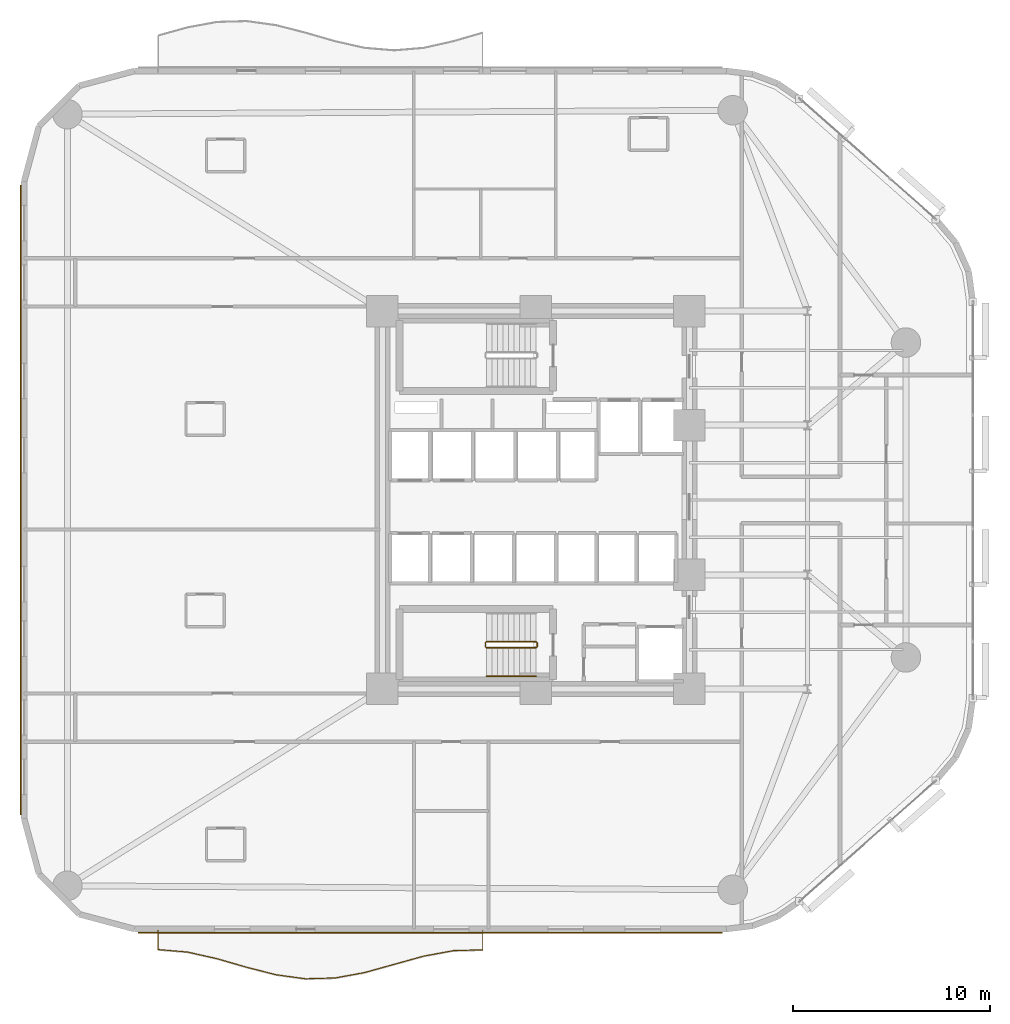
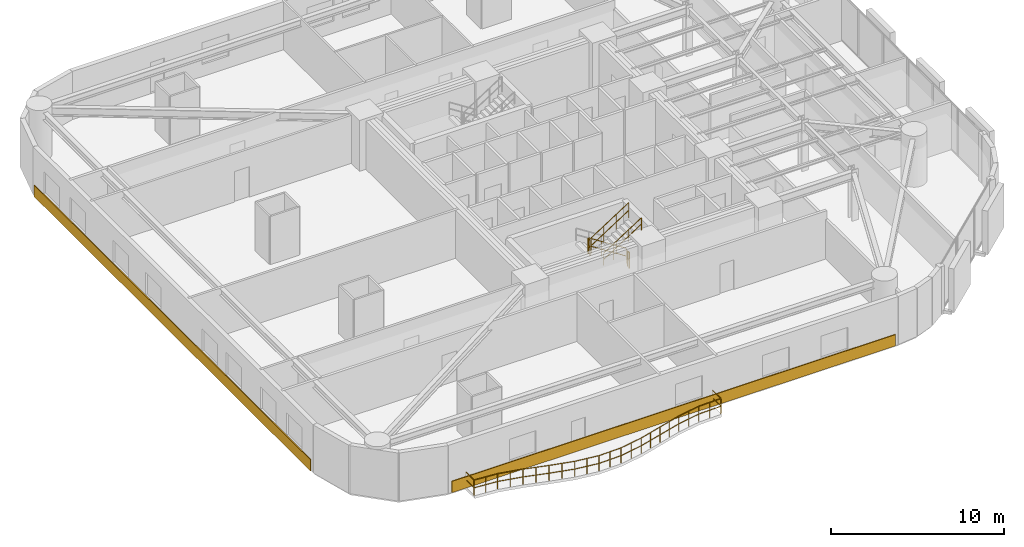
# One storey, part 14 of 16: 6 railings, 2 coverings.
"""IFC4 building model written with IfcOpenShell, lengths in metres."""

from ifc_helpers import new_model, si_unit, direction, frame, origin, origin_2d, place, context, subcontext, project, spatial, rectangle, circle, extrude, material, layer, layer_set, type_object, element, save


model = new_model("IFC4")

# Units and contexts
model_context = context("Model", 3, precision=1e-05, world=origin(), true_north=direction((0.0, 1.0)))
body_context = subcontext(model_context, "Body", "Model", "MODEL_VIEW")
ifc_project = project(units=[si_unit("LENGTHUNIT", "METRE"), si_unit("AREAUNIT", "SQUARE_METRE"), si_unit("VOLUMEUNIT", "CUBIC_METRE"), si_unit("PLANEANGLEUNIT", "RADIAN"), si_unit("MASSUNIT", "GRAM", prefix="KILO")], contexts=[model_context])

# Site, building, storey
site_placement = place(None, origin())
site = spatial("IfcSite", under=ifc_project, at=site_placement, CompositionType="ELEMENT")
building_placement = place(site_placement, origin())
building = spatial("IfcBuilding", under=site, at=building_placement, Name="An Khanh Terracotta Commons", CompositionType="ELEMENT")
storey_placement = place(building_placement, frame((0.0, 0.0, 54.0)))
storey = spatial("IfcBuildingStorey", under=building, at=storey_placement, Name="L14", CompositionType="ELEMENT", Elevation=54.0)

# Coverings
ifc_material_1 = material(Name="Fired Terracotta Rainscreen Cladding", Category="masonry")
ifc_layer = layer(ifc_material_1, 0.06005859375, Name="Fired Terracotta Rainscreen Cladding")
ifc_layer_set = layer_set([ifc_layer], Name="Fired Terracotta Rainscreen Cladding")
covering_type = type_object("IfcCoveringType", Name="COV-SPANDREL-TERRA", PredefinedType="CLADDING", material=ifc_layer_set)
covering_1_placement = place(storey_placement, frame((24.0400390625, 2.02001953125, 0.02001953125), z_axis=(0.0, 0.0, 1.0), x_axis=(1.0, 0.0, 0.0)))
element("IfcCovering", 1, at=covering_1_placement, inside=storey, type_object=covering_type, Name="L14 Terracotta Spandrel Cladding 4", PredefinedType="CLADDING", context=body_context, shape_type="SweptSolid", body=[
    extrude(rectangle(XDim=29.678955078125, YDim=0.06005859375, at=origin_2d()), origin(), (0.0, 0.0, 1.0), 0.800048828125),
])
covering_2_placement = place(storey_placement, frame((3.219970703125, 24.0, 0.02001953125), z_axis=(0.0, 0.0, 1.0), x_axis=(0.0, -1.0, 0.0)))
element("IfcCovering", 2, at=covering_2_placement, inside=storey, type_object=covering_type, Name="L14 Terracotta Spandrel Cladding 24", PredefinedType="CLADDING", context=body_context, shape_type="SweptSolid", body=[
    extrude(rectangle(XDim=32.0, YDim=0.06005859375, at=origin_2d()), origin(), (0.0, 0.0, 1.0), 0.800048828125),
])

# Railings
ifc_material_2 = material(Name="Brushed Stainless Steel 316", Category="steel")
railing_type_1 = type_object("IfcRailingType", Name="RAIL-BALUSTRADE-1100", PredefinedType="BALUSTRADE", material=ifc_material_2)
railing_1_placement = place(storey_placement, frame((10.199951171875, 2.139892578125, 0.0)))
element("IfcRailing", 3, at=railing_1_placement, inside=storey, type_object=railing_type_1, Name="L14 S Wave Balcony Guard Balustrade", PredefinedType="BALUSTRADE", context=body_context, shape_type="SweptSolid", body=[
    extrude(circle(Radius=0.02392578125, at=origin_2d()), frame((0.0, 0.0, 1.076171875), z_axis=(0.0, -1.0, 0.0), x_axis=(1.0, 0.0, 0.0)), (0.0, 0.0, 1.0), 0.97998046875),
    extrude(circle(Radius=0.02392578125, at=origin_2d()), frame((0.0, 0.0, 0.52587890625), z_axis=(0.0, -1.0, 0.0), x_axis=(1.0, 0.0, 0.0)), (0.0, 0.0, 1.0), 0.97998046875),
    extrude(circle(Radius=0.02392578125, at=origin_2d()), frame((0.0, -0.97998046875, 1.076171875), z_axis=(0.996491859681, -0.083689746028, 0.0), x_axis=(0.083689746028, 0.996491859681, 0.0)), (0.0, 0.0, 1.0), 1.50537109375),
    extrude(circle(Radius=0.02392578125, at=origin_2d()), frame((0.0, -0.97998046875, 0.52587890625), z_axis=(0.996491859681, -0.083689746028, 0.0), x_axis=(0.083689746028, 0.996491859681, 0.0)), (0.0, 0.0, 1.0), 1.50537109375),
    extrude(circle(Radius=0.02392578125, at=origin_2d()), frame((1.5, -1.10595703125, 1.076171875), z_axis=(0.975691310659, -0.21914941548, 0.0), x_axis=(0.21914941548, 0.975691310659, 0.0)), (0.0, 0.0, 1.0), 1.537353515625),
    extrude(circle(Radius=0.02392578125, at=origin_2d()), frame((1.5, -1.10595703125, 0.52587890625), z_axis=(0.975691310659, -0.21914941548, 0.0), x_axis=(0.21914941548, 0.975691310659, 0.0)), (0.0, 0.0, 1.0), 1.537353515625),
    extrude(circle(Radius=0.02392578125, at=origin_2d()), frame((3.0, -1.44287109375, 1.076171875), z_axis=(0.960753088359, -0.277404944458, 0.0), x_axis=(0.277404944458, 0.960753088359, 0.0)), (0.0, 0.0, 1.0), 1.561279296875),
    extrude(circle(Radius=0.02392578125, at=origin_2d()), frame((3.0, -1.44287109375, 0.52587890625), z_axis=(0.960753088359, -0.277404944458, 0.0), x_axis=(0.277404944458, 0.960753088359, 0.0)), (0.0, 0.0, 1.0), 1.561279296875),
    extrude(circle(Radius=0.02392578125, at=origin_2d()), frame((4.5, -1.8759765625, 1.076171875), z_axis=(0.968754262999, -0.248022535107, 0.0), x_axis=(0.248022535107, 0.968754262999, 0.0)), (0.0, 0.0, 1.0), 1.54833984375),
    extrude(circle(Radius=0.02392578125, at=origin_2d()), frame((4.5, -1.8759765625, 0.52587890625), z_axis=(0.968754262999, -0.248022535107, 0.0), x_axis=(0.248022535107, 0.968754262999, 0.0)), (0.0, 0.0, 1.0), 1.54833984375),
    extrude(circle(Radius=0.02392578125, at=origin_2d()), frame((6.0, -2.260009765625, 1.076171875), z_axis=(0.990717967649, -0.135933471147, 0.0), x_axis=(0.135933471147, 0.990717967649, 0.0)), (0.0, 0.0, 1.0), 1.51416015625),
    extrude(circle(Radius=0.02392578125, at=origin_2d()), frame((6.0, -2.260009765625, 0.52587890625), z_axis=(0.990717967649, -0.135933471147, 0.0), x_axis=(0.135933471147, 0.990717967649, 0.0)), (0.0, 0.0, 1.0), 1.51416015625),
    extrude(circle(Radius=0.02392578125, at=origin_2d()), frame((7.5, -2.4658203125, 1.076171875), z_axis=(0.999589960453, 0.028634087409, 0.0), x_axis=(-0.028634087409, 0.999589960453, 0.0)), (0.0, 0.0, 1.0), 1.500732421875),
    extrude(circle(Radius=0.02392578125, at=origin_2d()), frame((7.5, -2.4658203125, 0.52587890625), z_axis=(0.999589960453, 0.028634087409, 0.0), x_axis=(-0.028634087409, 0.999589960453, 0.0)), (0.0, 0.0, 1.0), 1.500732421875),
    extrude(circle(Radius=0.02392578125, at=origin_2d()), frame((9.0, -2.4228515625, 1.076171875), z_axis=(0.983504185039, 0.180885372574, 0.0), x_axis=(-0.180885372574, 0.983504185039, 0.0)), (0.0, 0.0, 1.0), 1.525146484375),
    extrude(circle(Radius=0.02392578125, at=origin_2d()), frame((9.0, -2.4228515625, 0.52587890625), z_axis=(0.983504185039, 0.180885372574, 0.0), x_axis=(-0.180885372574, 0.983504185039, 0.0)), (0.0, 0.0, 1.0), 1.525146484375),
    extrude(circle(Radius=0.02392578125, at=origin_2d()), frame((10.5, -2.14697265625, 1.076171875), z_axis=(0.963463971294, 0.267837965978, 0.0), x_axis=(-0.267837965978, 0.963463971294, 0.0)), (0.0, 0.0, 1.0), 1.556884765625),
    extrude(circle(Radius=0.02392578125, at=origin_2d()), frame((10.5, -2.14697265625, 0.52587890625), z_axis=(0.963463971294, 0.267837965978, 0.0), x_axis=(-0.267837965978, 0.963463971294, 0.0)), (0.0, 0.0, 1.0), 1.556884765625),
    extrude(circle(Radius=0.02392578125, at=origin_2d()), frame((12.0, -1.72998046875, 1.076171875), z_axis=(0.963463971294, 0.267837965978, 0.0), x_axis=(-0.267837965978, 0.963463971294, 0.0)), (0.0, 0.0, 1.0), 1.556884765625),
    extrude(circle(Radius=0.02392578125, at=origin_2d()), frame((12.0, -1.72998046875, 0.52587890625), z_axis=(0.963463971294, 0.267837965978, 0.0), x_axis=(-0.267837965978, 0.963463971294, 0.0)), (0.0, 0.0, 1.0), 1.556884765625),
    extrude(circle(Radius=0.02392578125, at=origin_2d()), frame((13.5, -1.31298828125, 1.076171875), z_axis=(0.983475695992, 0.181040203803, 0.0), x_axis=(-0.181040203803, 0.983475695992, 0.0)), (0.0, 0.0, 1.0), 1.525146484375),
    extrude(circle(Radius=0.02392578125, at=origin_2d()), frame((13.5, -1.31298828125, 0.52587890625), z_axis=(0.983475695992, 0.181040203803, 0.0), x_axis=(-0.181040203803, 0.983475695992, 0.0)), (0.0, 0.0, 1.0), 1.525146484375),
    extrude(circle(Radius=0.02392578125, at=origin_2d()), frame((15.0, -1.036865234375, 1.076171875), z_axis=(0.999589960453, 0.028634087409, 0.0), x_axis=(-0.028634087409, 0.999589960453, 0.0)), (0.0, 0.0, 1.0), 1.500732421875),
    extrude(circle(Radius=0.02392578125, at=origin_2d()), frame((15.0, -1.036865234375, 0.52587890625), z_axis=(0.999589960453, 0.028634087409, 0.0), x_axis=(-0.028634087409, 0.999589960453, 0.0)), (0.0, 0.0, 1.0), 1.500732421875),
    extrude(circle(Radius=0.02392578125, at=origin_2d()), frame((16.5, -0.993896484375, 1.076171875), z_axis=(0.0, 1.0, 0.0), x_axis=(-1.0, 0.0, 0.0)), (0.0, 0.0, 1.0), 0.993896484375),
    extrude(circle(Radius=0.02392578125, at=origin_2d()), frame((16.5, -0.993896484375, 0.52587890625), z_axis=(0.0, 1.0, 0.0), x_axis=(-1.0, 0.0, 0.0)), (0.0, 0.0, 1.0), 0.993896484375),
    extrude(circle(Radius=0.02099609375, at=origin_2d()), origin(), (0.0, 0.0, 1.0), 1.052001953125),
    extrude(circle(Radius=0.02099609375, at=origin_2d()), frame((0.0, -0.97998046875, 0.0)), (0.0, 0.0, 1.0), 1.052001953125),
    extrude(circle(Radius=0.02099609375, at=origin_2d()), frame((0.75, -1.04296875, 0.0)), (0.0, 0.0, 1.0), 1.052001953125),
    extrude(circle(Radius=0.02099609375, at=origin_2d()), frame((1.5, -1.10595703125, 0.0)), (0.0, 0.0, 1.0), 1.052001953125),
    extrude(circle(Radius=0.02099609375, at=origin_2d()), frame((2.25, -1.2744140625, 0.0)), (0.0, 0.0, 1.0), 1.052001953125),
    extrude(circle(Radius=0.02099609375, at=origin_2d()), frame((3.0, -1.44287109375, 0.0)), (0.0, 0.0, 1.0), 1.052001953125),
    extrude(circle(Radius=0.02099609375, at=origin_2d()), frame((3.75, -1.659423828125, 0.0)), (0.0, 0.0, 1.0), 1.052001953125),
    extrude(circle(Radius=0.02099609375, at=origin_2d()), frame((4.5, -1.8759765625, 0.0)), (0.0, 0.0, 1.0), 1.052001953125),
    extrude(circle(Radius=0.02099609375, at=origin_2d()), frame((5.25, -2.06787109375, 0.0)), (0.0, 0.0, 1.0), 1.052001953125),
    extrude(circle(Radius=0.02099609375, at=origin_2d()), frame((6.0, -2.260009765625, 0.0)), (0.0, 0.0, 1.0), 1.052001953125),
    extrude(circle(Radius=0.02099609375, at=origin_2d()), frame((6.75, -2.36279296875, 0.0)), (0.0, 0.0, 1.0), 1.052001953125),
    extrude(circle(Radius=0.02099609375, at=origin_2d()), frame((7.5, -2.4658203125, 0.0)), (0.0, 0.0, 1.0), 1.052001953125),
    extrude(circle(Radius=0.02099609375, at=origin_2d()), frame((8.25, -2.4443359375, 0.0)), (0.0, 0.0, 1.0), 1.052001953125),
    extrude(circle(Radius=0.02099609375, at=origin_2d()), frame((9.0, -2.4228515625, 0.0)), (0.0, 0.0, 1.0), 1.052001953125),
    extrude(circle(Radius=0.02099609375, at=origin_2d()), frame((9.75, -2.284912109375, 0.0)), (0.0, 0.0, 1.0), 1.052001953125),
    extrude(circle(Radius=0.02099609375, at=origin_2d()), frame((10.5, -2.14697265625, 0.0)), (0.0, 0.0, 1.0), 1.052001953125),
    extrude(circle(Radius=0.02099609375, at=origin_2d()), frame((11.25, -1.9384765625, 0.0)), (0.0, 0.0, 1.0), 1.052001953125),
    extrude(circle(Radius=0.02099609375, at=origin_2d()), frame((12.0, -1.72998046875, 0.0)), (0.0, 0.0, 1.0), 1.052001953125),
    extrude(circle(Radius=0.02099609375, at=origin_2d()), frame((12.75, -1.521484375, 0.0)), (0.0, 0.0, 1.0), 1.052001953125),
    extrude(circle(Radius=0.02099609375, at=origin_2d()), frame((13.5, -1.31298828125, 0.0)), (0.0, 0.0, 1.0), 1.052001953125),
    extrude(circle(Radius=0.02099609375, at=origin_2d()), frame((14.25, -1.1748046875, 0.0)), (0.0, 0.0, 1.0), 1.052001953125),
    extrude(circle(Radius=0.02099609375, at=origin_2d()), frame((15.0, -1.036865234375, 0.0)), (0.0, 0.0, 1.0), 1.052001953125),
    extrude(circle(Radius=0.02099609375, at=origin_2d()), frame((15.75, -1.015380859375, 0.0)), (0.0, 0.0, 1.0), 1.052001953125),
    extrude(circle(Radius=0.02099609375, at=origin_2d()), frame((16.5, -0.993896484375, 0.0)), (0.0, 0.0, 1.0), 1.052001953125),
    extrude(circle(Radius=0.02099609375, at=origin_2d()), frame((16.5, 0.0, 0.0)), (0.0, 0.0, 1.0), 1.052001953125),
])
railing_type_2 = type_object("IfcRailingType", Name="RAIL-HANDRAIL-900", PredefinedType="HANDRAIL", material=ifc_material_2)
railing_2_placement = place(storey_placement, frame((26.889892578125, 15.050048828125, 1.97998046875)))
element("IfcRailing", 4, at=railing_2_placement, inside=storey, type_object=railing_type_2, Name="L14 ST-02 stair handrail 2", PredefinedType="HANDRAIL", context=body_context, shape_type="SweptSolid", body=[
    extrude(circle(Radius=0.02392578125, at=origin_2d()), frame((0.0, 0.0, 0.8759765625), z_axis=(0.841162588446, 0.0, 0.540782303519), x_axis=(0.0, 1.0, 0.0)), (0.0, 0.0, 1.0), 2.995849609375),
    extrude(circle(Radius=0.02392578125, at=origin_2d()), frame((0.0, 0.0, 0.42578125), z_axis=(0.841162588446, 0.0, 0.540782303519), x_axis=(0.0, 1.0, 0.0)), (0.0, 0.0, 1.0), 2.995849609375),
    extrude(circle(Radius=0.02099609375, at=origin_2d()), origin(), (0.0, 0.0, 1.0), 0.851806640625),
    extrude(circle(Radius=0.02099609375, at=origin_2d()), frame((0.840087890625, 0.0, 0.5400390625)), (0.0, 0.0, 1.0), 0.851806640625),
    extrude(circle(Radius=0.02099609375, at=origin_2d()), frame((1.679931640625, 0.0, 1.080078125)), (0.0, 0.0, 1.0), 0.851806640625),
    extrude(circle(Radius=0.02099609375, at=origin_2d()), frame((2.52001953125, 0.0, 1.6201171875)), (0.0, 0.0, 1.0), 0.851806640625),
])
ifc_material_3 = material(Name="Powder-Coated Steel S355J2", Category="steel")
railing_type_3 = type_object("IfcRailingType", Name="RAIL-STAIR-GUARD-1100", PredefinedType="BALUSTRADE", material=ifc_material_3)
railing_3_placement = place(storey_placement, frame((29.409912109375, 16.800048828125, 0.179931640625)))
element("IfcRailing", 5, at=railing_3_placement, inside=storey, type_object=railing_type_3, Name="L14 ST-02 stair guard 1", PredefinedType="BALUSTRADE", context=body_context, shape_type="SweptSolid", body=[
    extrude(circle(Radius=0.02392578125, at=origin_2d()), frame((0.0, 0.0, 1.076171875), z_axis=(-0.841162588446, 0.0, 0.540782303519), x_axis=(0.0, -1.0, 0.0)), (0.0, 0.0, 1.0), 2.995849609375),
    extrude(circle(Radius=0.02392578125, at=origin_2d()), frame((0.0, 0.0, 0.52587890625), z_axis=(-0.841162588446, 0.0, 0.540782303519), x_axis=(0.0, -1.0, 0.0)), (0.0, 0.0, 1.0), 2.995849609375),
    extrude(circle(Radius=0.02099609375, at=origin_2d()), origin(), (0.0, 0.0, 1.0), 1.052001953125),
    extrude(circle(Radius=0.02099609375, at=origin_2d()), frame((-0.840087890625, 0.0, 0.5400390625)), (0.0, 0.0, 1.0), 1.052001953125),
    extrude(circle(Radius=0.02099609375, at=origin_2d()), frame((-1.679931640625, 0.0, 1.080078125)), (0.0, 0.0, 1.0), 1.052001953125),
    extrude(circle(Radius=0.02099609375, at=origin_2d()), frame((-2.52001953125, 0.0, 1.6201171875)), (0.0, 0.0, 1.0), 1.052001953125),
])
railing_4_placement = place(storey_placement, frame((26.840087890625, 16.75, 1.800048828125)))
element("IfcRailing", 6, at=railing_4_placement, inside=storey, type_object=railing_type_3, Name="L14 ST-02 stair guard 2", PredefinedType="BALUSTRADE", context=body_context, shape_type="SweptSolid", body=[
    extrude(circle(Radius=0.02392578125, at=origin_2d()), frame((0.0, 0.0, 1.076171875), z_axis=(0.0, -1.0, 0.0), x_axis=(1.0, 0.0, 0.0)), (0.0, 0.0, 1.0), 0.199951171875),
    extrude(circle(Radius=0.02392578125, at=origin_2d()), frame((0.0, 0.0, 0.52587890625), z_axis=(0.0, -1.0, 0.0), x_axis=(1.0, 0.0, 0.0)), (0.0, 0.0, 1.0), 0.199951171875),
    extrude(circle(Radius=0.02099609375, at=origin_2d()), origin(), (0.0, 0.0, 1.0), 1.052001953125),
    extrude(circle(Radius=0.02099609375, at=origin_2d()), frame((0.0, -0.199951171875, 0.0)), (0.0, 0.0, 1.0), 1.052001953125),
])
railing_5_placement = place(storey_placement, frame((26.889892578125, 16.5, 1.97998046875)))
element("IfcRailing", 7, at=railing_5_placement, inside=storey, type_object=railing_type_3, Name="L14 ST-02 stair guard 3", PredefinedType="BALUSTRADE", context=body_context, shape_type="SweptSolid", body=[
    extrude(circle(Radius=0.02392578125, at=origin_2d()), frame((0.0, 0.0, 1.076171875), z_axis=(0.841162588446, 0.0, 0.540782303519), x_axis=(0.0, 1.0, 0.0)), (0.0, 0.0, 1.0), 2.995849609375),
    extrude(circle(Radius=0.02392578125, at=origin_2d()), frame((0.0, 0.0, 0.52587890625), z_axis=(0.841162588446, 0.0, 0.540782303519), x_axis=(0.0, 1.0, 0.0)), (0.0, 0.0, 1.0), 2.995849609375),
    extrude(circle(Radius=0.02099609375, at=origin_2d()), origin(), (0.0, 0.0, 1.0), 1.052001953125),
    extrude(circle(Radius=0.02099609375, at=origin_2d()), frame((0.840087890625, 0.0, 0.5400390625)), (0.0, 0.0, 1.0), 1.052001953125),
    extrude(circle(Radius=0.02099609375, at=origin_2d()), frame((1.679931640625, 0.0, 1.080078125)), (0.0, 0.0, 1.0), 1.052001953125),
    extrude(circle(Radius=0.02099609375, at=origin_2d()), frame((2.52001953125, 0.0, 1.6201171875)), (0.0, 0.0, 1.0), 1.052001953125),
])
railing_6_placement = place(storey_placement, frame((29.4599609375, 16.75, 0.0)))
element("IfcRailing", 8, at=railing_6_placement, inside=storey, type_object=railing_type_3, Name="L14 ST-02 stair guard 4", PredefinedType="BALUSTRADE", context=body_context, shape_type="SweptSolid", body=[
    extrude(circle(Radius=0.02392578125, at=origin_2d()), frame((0.0, 0.0, 1.076171875), z_axis=(0.0, -1.0, 0.0), x_axis=(1.0, 0.0, 0.0)), (0.0, 0.0, 1.0), 0.199951171875),
    extrude(circle(Radius=0.02392578125, at=origin_2d()), frame((0.0, 0.0, 0.52587890625), z_axis=(0.0, -1.0, 0.0), x_axis=(1.0, 0.0, 0.0)), (0.0, 0.0, 1.0), 0.199951171875),
    extrude(circle(Radius=0.02099609375, at=origin_2d()), origin(), (0.0, 0.0, 1.0), 1.052001953125),
    extrude(circle(Radius=0.02099609375, at=origin_2d()), frame((0.0, -0.199951171875, 0.0)), (0.0, 0.0, 1.0), 1.052001953125),
])

save(model, "model.ifc")
